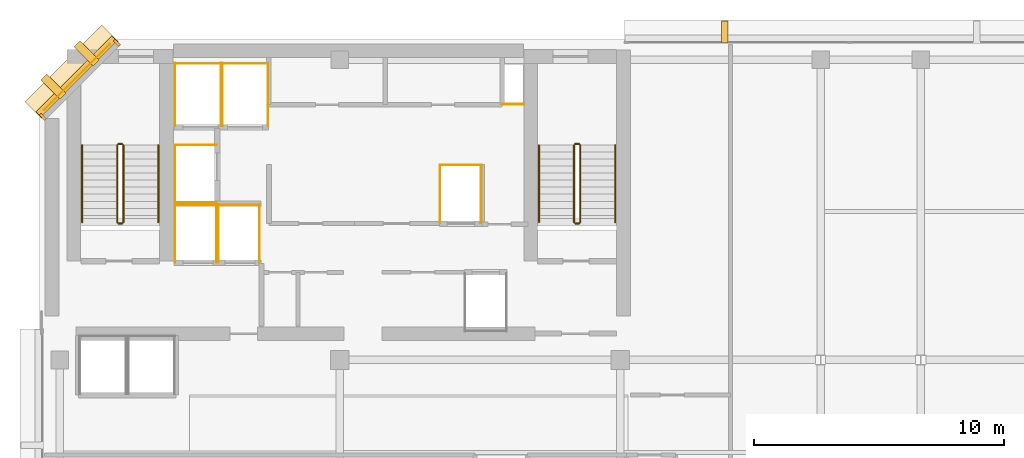
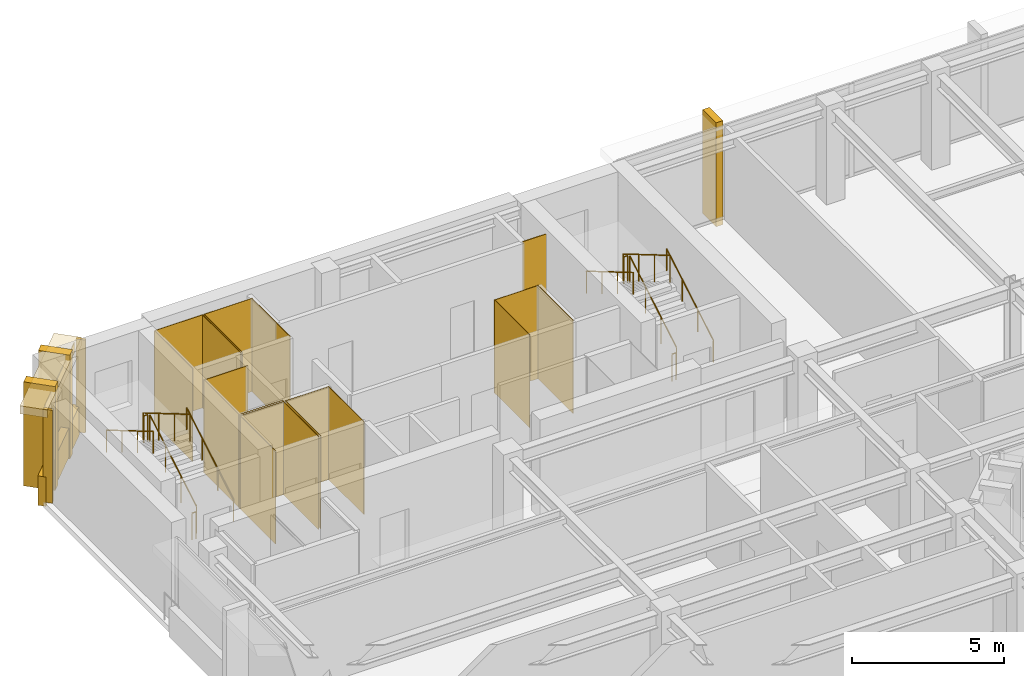
# One storey, part 10 of 11: 27 coverings, 12 railings.
"""IFC4 building model written with IfcOpenShell, lengths in metres."""

from ifc_helpers import new_model, si_unit, direction, frame, origin, origin_2d, place, context, subcontext, project, spatial, polyline, rectangle, circle, outline, extrude, material, layer, layer_set, type_object, element, save


model = new_model("IFC4")

# Units and contexts
model_context = context("Model", 3, precision=1e-05, world=origin(), true_north=direction((0.0, 1.0)))
body_context = subcontext(model_context, "Body", "Model", "MODEL_VIEW")
ifc_project = project(units=[si_unit("LENGTHUNIT", "METRE"), si_unit("AREAUNIT", "SQUARE_METRE"), si_unit("VOLUMEUNIT", "CUBIC_METRE"), si_unit("PLANEANGLEUNIT", "RADIAN"), si_unit("MASSUNIT", "GRAM", prefix="KILO")], contexts=[model_context])

# Site, building, storey
site_placement = place(None, origin())
site = spatial("IfcSite", under=ifc_project, at=site_placement, CompositionType="ELEMENT")
building_placement = place(site_placement, origin())
building = spatial("IfcBuilding", under=site, at=building_placement, Name="Kefirva Bronze Tower", CompositionType="ELEMENT")
storey_placement = place(building_placement, frame((0.0, 0.0, 323.72998046875)))
storey = spatial("IfcBuildingStorey", under=building, at=storey_placement, Name="L79", CompositionType="ELEMENT", Elevation=323.72998046875)

# Coverings
ifc_material_1 = material(Name="Bronze anodised aluminium", Category="aluminium")
ifc_layer_1 = layer(ifc_material_1, 0.02001953125, Name="Bronze anodised aluminium")
ifc_layer_set_1 = layer_set([ifc_layer_1], Name="Bronze anodised aluminium")
covering_type_1 = type_object("IfcCoveringType", Name="Anodised Bronze Spandrel Cladding 20mm", PredefinedType="CLADDING", material=ifc_layer_set_1)
covering_1_placement = place(storey_placement, frame((1.492919921875, 44.507080078125, 3.320068359375), z_axis=(0.0, 0.0, 1.0), x_axis=(-0.707106781187, -0.707106781187, 0.0)))
element("IfcCovering", 1, at=covering_1_placement, inside=storey, type_object=covering_type_1, Name="L79 Bronze Spandrel Cladding 6", PredefinedType="CLADDING", context=body_context, shape_type="SweptSolid", body=[
    extrude(rectangle(XDim=3.719482421875, YDim=0.02001953125, at=origin_2d()), origin(), (0.0, 0.0, 1.0), 0.39990234375),
])
for number, where, z_axis, x_axis, name in (
    (2, (3.08837890625, 45.862060546875, 0.0), (0.0, 0.0, 1.0), (-0.707106781187, -0.707106781187, 0.0), "L79 Facade Joint Closure Panel 6S"),
    (3, (0.137939453125, 42.91162109375, 0.0), (0.0, 0.0, 1.0), (-0.707106781187, -0.707106781187, 0.0), "L79 Facade Joint Closure Panel 6E"),
):
    element("IfcCovering", number, at=place(storey_placement, frame(where, z_axis=z_axis, x_axis=x_axis)), inside=storey, type_object=covering_type_1, Name=name, PredefinedType="CLADDING", context=body_context, shape_type="SweptSolid", body=[
        extrude(rectangle(XDim=0.10009765625, YDim=0.320068359375, at=origin_2d()), origin(), (0.0, 0.0, 1.0), 3.739990234375),
    ])
covering_2_placement = place(storey_placement, frame((1.4716796875, 44.5283203125, -0.16015625), z_axis=(0.0, 0.0, 1.0), x_axis=(-0.707106781187, -0.707106781187, 0.0)))
element("IfcCovering", 4, at=covering_2_placement, inside=storey, type_object=covering_type_1, Name="L79 Streamline Horizontal Spandrel Band 9", PredefinedType="CLADDING", context=body_context, shape_type="SweptSolid", body=[
    extrude(rectangle(XDim=4.28271484375, YDim=0.280029296875, at=origin_2d()), origin(), (0.0, 0.0, 1.0), 1.179931640625),
])
covering_3_placement = place(storey_placement, origin())
element("IfcCovering", 5, at=covering_3_placement, inside=storey, type_object=covering_type_1, Name="L79 Lift FF1 Hoistway Liner N", PredefinedType="CLADDING", context=body_context, shape_type="SweptSolid", body=[
    extrude(outline(polyline([(5.39990234375, 39.389892578125), (7.080078125, 39.389892578125), (7.080078125, 39.409912109375), (5.39990234375, 39.409912109375), (5.39990234375, 39.389892578125)])), origin(), (0.0, 0.0, 1.0), 3.739990234375),
])
covering_4_placement = place(storey_placement, origin())
element("IfcCovering", 6, at=covering_4_placement, inside=storey, type_object=covering_type_1, Name="L79 Lift FF1 Hoistway Liner W", PredefinedType="CLADDING", context=body_context, shape_type="SweptSolid", body=[
    extrude(outline(polyline([(5.409912109375, 37.080078125), (5.429931640625, 37.080078125), (5.429931640625, 39.419921875), (5.409912109375, 39.419921875), (5.409912109375, 37.080078125)])), origin(), (0.0, 0.0, 1.0), 3.739990234375),
])
covering_5_placement = place(storey_placement, origin())
element("IfcCovering", 7, at=covering_5_placement, inside=storey, type_object=covering_type_1, Name="L79 Lift FF1 Hoistway Liner E", PredefinedType="CLADDING", context=body_context, shape_type="SweptSolid", body=[
    extrude(outline(polyline([(7.050048828125, 37.080078125), (7.070068359375, 37.080078125), (7.070068359375, 39.419921875), (7.050048828125, 39.419921875), (7.050048828125, 37.080078125)])), origin(), (0.0, 0.0, 1.0), 3.739990234375),
])
covering_6_placement = place(storey_placement, origin())
element("IfcCovering", 8, at=covering_6_placement, inside=storey, type_object=covering_type_1, Name="L79 Lift FF2 Hoistway Liner N", PredefinedType="CLADDING", context=body_context, shape_type="SweptSolid", body=[
    extrude(outline(polyline([(7.1201171875, 39.389892578125), (8.800048828125, 39.389892578125), (8.800048828125, 39.409912109375), (7.1201171875, 39.409912109375), (7.1201171875, 39.389892578125)])), origin(), (0.0, 0.0, 1.0), 3.739990234375),
])
covering_7_placement = place(storey_placement, origin())
element("IfcCovering", 9, at=covering_7_placement, inside=storey, type_object=covering_type_1, Name="L79 Lift FF2 Hoistway Liner W", PredefinedType="CLADDING", context=body_context, shape_type="SweptSolid", body=[
    extrude(outline(polyline([(7.1298828125, 37.080078125), (7.14990234375, 37.080078125), (7.14990234375, 39.419921875), (7.1298828125, 39.419921875), (7.1298828125, 37.080078125)])), origin(), (0.0, 0.0, 1.0), 3.739990234375),
])
covering_8_placement = place(storey_placement, origin())
element("IfcCovering", 10, at=covering_8_placement, inside=storey, type_object=covering_type_1, Name="L79 Lift FF2 Hoistway Liner E", PredefinedType="CLADDING", context=body_context, shape_type="SweptSolid", body=[
    extrude(outline(polyline([(8.77001953125, 37.080078125), (8.7900390625, 37.080078125), (8.7900390625, 39.419921875), (8.77001953125, 39.419921875), (8.77001953125, 37.080078125)])), origin(), (0.0, 0.0, 1.0), 3.739990234375),
])
covering_9_placement = place(storey_placement, origin())
element("IfcCovering", 11, at=covering_9_placement, inside=storey, type_object=covering_type_1, Name="L79 Lift SV1 Hoistway Liner N", PredefinedType="CLADDING", context=body_context, shape_type="SweptSolid", body=[
    extrude(outline(polyline([(5.39990234375, 45.0400390625), (7.260009765625, 45.0400390625), (7.260009765625, 45.06005859375), (5.39990234375, 45.06005859375), (5.39990234375, 45.0400390625)])), origin(), (0.0, 0.0, 1.0), 3.739990234375),
])
covering_10_placement = place(storey_placement, origin())
element("IfcCovering", 12, at=covering_10_placement, inside=storey, type_object=covering_type_1, Name="L79 Lift SV1 Hoistway Liner W", PredefinedType="CLADDING", context=body_context, shape_type="SweptSolid", body=[
    extrude(outline(polyline([(5.409912109375, 42.530029296875), (5.429931640625, 42.530029296875), (5.429931640625, 45.070068359375), (5.409912109375, 45.070068359375), (5.409912109375, 42.530029296875)])), origin(), (0.0, 0.0, 1.0), 3.739990234375),
])
covering_11_placement = place(storey_placement, origin())
element("IfcCovering", 13, at=covering_11_placement, inside=storey, type_object=covering_type_1, Name="L79 Lift SV1 Hoistway Liner E", PredefinedType="CLADDING", context=body_context, shape_type="SweptSolid", body=[
    extrude(outline(polyline([(7.22998046875, 42.530029296875), (7.25, 42.530029296875), (7.25, 45.070068359375), (7.22998046875, 45.070068359375), (7.22998046875, 42.530029296875)])), origin(), (0.0, 0.0, 1.0), 3.739990234375),
])
covering_12_placement = place(storey_placement, origin())
element("IfcCovering", 14, at=covering_12_placement, inside=storey, type_object=covering_type_1, Name="L79 Lift SV2 Hoistway Liner N", PredefinedType="CLADDING", context=body_context, shape_type="SweptSolid", body=[
    extrude(outline(polyline([(7.280029296875, 45.0400390625), (9.139892578125, 45.0400390625), (9.139892578125, 45.06005859375), (7.280029296875, 45.06005859375), (7.280029296875, 45.0400390625)])), origin(), (0.0, 0.0, 1.0), 3.739990234375),
])
covering_13_placement = place(storey_placement, origin())
element("IfcCovering", 15, at=covering_13_placement, inside=storey, type_object=covering_type_1, Name="L79 Lift SV2 Hoistway Liner W", PredefinedType="CLADDING", context=body_context, shape_type="SweptSolid", body=[
    extrude(outline(polyline([(7.2900390625, 42.530029296875), (7.31005859375, 42.530029296875), (7.31005859375, 45.070068359375), (7.2900390625, 45.070068359375), (7.2900390625, 42.530029296875)])), origin(), (0.0, 0.0, 1.0), 3.739990234375),
])
covering_14_placement = place(storey_placement, origin())
element("IfcCovering", 16, at=covering_14_placement, inside=storey, type_object=covering_type_1, Name="L79 Lift SV2 Hoistway Liner E", PredefinedType="CLADDING", context=body_context, shape_type="SweptSolid", body=[
    extrude(outline(polyline([(9.110107421875, 42.530029296875), (9.1298828125, 42.530029296875), (9.1298828125, 45.070068359375), (9.110107421875, 45.070068359375), (9.110107421875, 42.530029296875)])), origin(), (0.0, 0.0, 1.0), 3.739990234375),
])
covering_15_placement = place(storey_placement, origin())
element("IfcCovering", 17, at=covering_15_placement, inside=storey, type_object=covering_type_1, Name="L79 Lift HP2 Hoistway Liner N", PredefinedType="CLADDING", context=body_context, shape_type="SweptSolid", body=[
    extrude(outline(polyline([(15.97998046875, 40.969970703125), (17.669921875, 40.969970703125), (17.669921875, 40.989990234375), (15.97998046875, 40.989990234375), (15.97998046875, 40.969970703125)])), origin(), (0.0, 0.0, 1.0), 3.739990234375),
])
covering_16_placement = place(storey_placement, origin())
element("IfcCovering", 18, at=covering_16_placement, inside=storey, type_object=covering_type_1, Name="L79 Lift HP2 Hoistway Liner W", PredefinedType="CLADDING", context=body_context, shape_type="SweptSolid", body=[
    extrude(outline(polyline([(15.989990234375, 38.659912109375), (16.010009765625, 38.659912109375), (16.010009765625, 41.0), (15.989990234375, 41.0), (15.989990234375, 38.659912109375)])), origin(), (0.0, 0.0, 1.0), 3.739990234375),
])
covering_17_placement = place(storey_placement, origin())
element("IfcCovering", 19, at=covering_17_placement, inside=storey, type_object=covering_type_1, Name="L79 Lift HP2 Hoistway Liner E", PredefinedType="CLADDING", context=body_context, shape_type="SweptSolid", body=[
    extrude(outline(polyline([(17.639892578125, 38.659912109375), (17.659912109375, 38.659912109375), (17.659912109375, 41.0), (17.639892578125, 41.0), (17.639892578125, 38.659912109375)])), origin(), (0.0, 0.0, 1.0), 3.739990234375),
])
covering_18_placement = place(storey_placement, origin())
element("IfcCovering", 20, at=covering_18_placement, inside=storey, type_object=covering_type_1, Name="L79 Lift HP3 Hoistway Liner N", PredefinedType="CLADDING", context=body_context, shape_type="SweptSolid", body=[
    extrude(outline(polyline([(5.39990234375, 41.77001953125), (7.080078125, 41.77001953125), (7.080078125, 41.7900390625), (5.39990234375, 41.7900390625), (5.39990234375, 41.77001953125)])), origin(), (0.0, 0.0, 1.0), 3.739990234375),
])
covering_19_placement = place(storey_placement, origin())
element("IfcCovering", 21, at=covering_19_placement, inside=storey, type_object=covering_type_1, Name="L79 Lift HP3 Hoistway Liner S", PredefinedType="CLADDING", context=body_context, shape_type="SweptSolid", body=[
    extrude(outline(polyline([(5.39990234375, 39.469970703125), (7.080078125, 39.469970703125), (7.080078125, 39.489990234375), (5.39990234375, 39.489990234375), (5.39990234375, 39.469970703125)])), origin(), (0.0, 0.0, 1.0), 3.739990234375),
])
covering_20_placement = place(storey_placement, origin())
element("IfcCovering", 22, at=covering_20_placement, inside=storey, type_object=covering_type_1, Name="L79 Lift HP3 Hoistway Liner W", PredefinedType="CLADDING", context=body_context, shape_type="SweptSolid", body=[
    extrude(outline(polyline([(5.409912109375, 39.4599609375), (5.429931640625, 39.4599609375), (5.429931640625, 41.800048828125), (5.409912109375, 41.800048828125), (5.409912109375, 39.4599609375)])), origin(), (0.0, 0.0, 1.0), 3.739990234375),
])
covering_21_placement = place(storey_placement, origin())
element("IfcCovering", 23, at=covering_21_placement, inside=storey, type_object=covering_type_1, Name="L79 Core MEP Riser Shaft Liner South", PredefinedType="CLADDING", context=body_context, shape_type="SweptSolid", body=[
    extrude(outline(polyline([(18.47998046875, 43.39990234375), (19.360107421875, 43.39990234375), (19.360107421875, 43.429931640625), (18.47998046875, 43.429931640625), (18.47998046875, 43.39990234375)])), origin(), (0.0, 0.0, 1.0), 3.739990234375),
])

# Railings
ifc_material_2 = material(Name="Stainless steel 316", Category="steel")
railing_type_1 = type_object("IfcRailingType", Name="Interior Stair Guardrail 1100mm", PredefinedType="GUARDRAIL", material=ifc_material_2)
railing_1_placement = place(storey_placement, frame((3.35009765625, 38.699951171875, 0.1650390625)))
element("IfcRailing", 24, at=railing_1_placement, inside=storey, type_object=railing_type_1, Name="L79 ST-1 stair guard 1", PredefinedType="GUARDRAIL", context=body_context, shape_type="SweptSolid", body=[
    extrude(circle(Radius=0.02392578125, at=origin_2d()), frame((0.0, 0.0, 1.076171875), z_axis=(0.0, 0.861551262678, 0.507670583921), x_axis=(-1.0, 0.0, 0.0)), (0.0, 0.0, 1.0), 3.574951171875),
    extrude(circle(Radius=0.02099609375, at=origin_2d()), origin(), (0.0, 0.0, 1.0), 1.052001953125),
    extrude(circle(Radius=0.02099609375, at=origin_2d()), frame((0.0, 1.026611328125, 0.60498046875)), (0.0, 0.0, 1.0), 1.052001953125),
    extrude(circle(Radius=0.02099609375, at=origin_2d()), frame((0.0, 2.053466796875, 1.2099609375)), (0.0, 0.0, 1.0), 1.052001953125),
    extrude(circle(Radius=0.02099609375, at=origin_2d()), frame((0.0, 3.080078125, 1.81494140625)), (0.0, 0.0, 1.0), 1.052001953125),
])
railing_2_placement = place(storey_placement, frame((3.300048828125, 41.830078125, 1.97998046875)))
element("IfcRailing", 25, at=railing_2_placement, inside=storey, type_object=railing_type_1, Name="L79 ST-1 stair guard 2", PredefinedType="GUARDRAIL", context=body_context, shape_type="SweptSolid", body=[
    extrude(circle(Radius=0.02392578125, at=origin_2d()), frame((0.0, 0.0, 1.076171875), z_axis=(-1.0, 0.0, 0.0), x_axis=(0.0, -1.0, 0.0)), (0.0, 0.0, 1.0), 0.150146484375),
    extrude(circle(Radius=0.02099609375, at=origin_2d()), origin(), (0.0, 0.0, 1.0), 1.052001953125),
    extrude(circle(Radius=0.02099609375, at=origin_2d()), frame((-0.150146484375, 0.0, 0.0)), (0.0, 0.0, 1.0), 1.052001953125),
])
railing_3_placement = place(storey_placement, frame((3.10009765625, 41.780029296875, 2.14501953125)))
element("IfcRailing", 26, at=railing_3_placement, inside=storey, type_object=railing_type_1, Name="L79 ST-1 stair guard 3", PredefinedType="GUARDRAIL", context=body_context, shape_type="SweptSolid", body=[
    extrude(circle(Radius=0.02392578125, at=origin_2d()), frame((0.0, 0.0, 1.076171875), z_axis=(0.0, -0.861551262678, 0.507670583921), x_axis=(1.0, 0.0, 0.0)), (0.0, 0.0, 1.0), 3.574951171875),
    extrude(circle(Radius=0.02099609375, at=origin_2d()), origin(), (0.0, 0.0, 1.0), 1.052001953125),
    extrude(circle(Radius=0.02099609375, at=origin_2d()), frame((0.0, -1.026611328125, 0.60498046875)), (0.0, 0.0, 1.0), 1.052001953125),
    extrude(circle(Radius=0.02099609375, at=origin_2d()), frame((0.0, -2.053466796875, 1.2099609375)), (0.0, 0.0, 1.0), 1.052001953125),
    extrude(circle(Radius=0.02099609375, at=origin_2d()), frame((0.0, -3.080078125, 1.81494140625)), (0.0, 0.0, 1.0), 1.052001953125),
])
railing_4_placement = place(storey_placement, frame((3.300048828125, 38.64990234375, 0.0)))
element("IfcRailing", 27, at=railing_4_placement, inside=storey, type_object=railing_type_1, Name="L79 ST-1 stair guard 4", PredefinedType="GUARDRAIL", context=body_context, shape_type="SweptSolid", body=[
    extrude(circle(Radius=0.02392578125, at=origin_2d()), frame((0.0, 0.0, 1.076171875), z_axis=(-1.0, 0.0, 0.0), x_axis=(0.0, -1.0, 0.0)), (0.0, 0.0, 1.0), 0.150146484375),
    extrude(circle(Radius=0.02099609375, at=origin_2d()), origin(), (0.0, 0.0, 1.0), 1.052001953125),
    extrude(circle(Radius=0.02099609375, at=origin_2d()), frame((-0.150146484375, 0.0, 0.0)), (0.0, 0.0, 1.0), 1.052001953125),
])
railing_5_placement = place(storey_placement, frame((21.60009765625, 38.699951171875, 0.1650390625)))
element("IfcRailing", 28, at=railing_5_placement, inside=storey, type_object=railing_type_1, Name="L79 ST-2 stair guard 1", PredefinedType="GUARDRAIL", context=body_context, shape_type="SweptSolid", body=[
    extrude(circle(Radius=0.02392578125, at=origin_2d()), frame((0.0, 0.0, 1.076171875), z_axis=(0.0, 0.861551262678, 0.507670583921), x_axis=(-1.0, 0.0, 0.0)), (0.0, 0.0, 1.0), 3.574951171875),
    extrude(circle(Radius=0.02099609375, at=origin_2d()), origin(), (0.0, 0.0, 1.0), 1.052001953125),
    extrude(circle(Radius=0.02099609375, at=origin_2d()), frame((0.0, 1.026611328125, 0.60498046875)), (0.0, 0.0, 1.0), 1.052001953125),
    extrude(circle(Radius=0.02099609375, at=origin_2d()), frame((0.0, 2.053466796875, 1.2099609375)), (0.0, 0.0, 1.0), 1.052001953125),
    extrude(circle(Radius=0.02099609375, at=origin_2d()), frame((0.0, 3.080078125, 1.81494140625)), (0.0, 0.0, 1.0), 1.052001953125),
])
railing_6_placement = place(storey_placement, frame((21.550048828125, 41.830078125, 1.97998046875)))
element("IfcRailing", 29, at=railing_6_placement, inside=storey, type_object=railing_type_1, Name="L79 ST-2 stair guard 2", PredefinedType="GUARDRAIL", context=body_context, shape_type="SweptSolid", body=[
    extrude(circle(Radius=0.02392578125, at=origin_2d()), frame((0.0, 0.0, 1.076171875), z_axis=(-1.0, 0.0, 0.0), x_axis=(0.0, -1.0, 0.0)), (0.0, 0.0, 1.0), 0.150146484375),
    extrude(circle(Radius=0.02099609375, at=origin_2d()), origin(), (0.0, 0.0, 1.0), 1.052001953125),
    extrude(circle(Radius=0.02099609375, at=origin_2d()), frame((-0.150146484375, 0.0, 0.0)), (0.0, 0.0, 1.0), 1.052001953125),
])
railing_7_placement = place(storey_placement, frame((21.35009765625, 41.780029296875, 2.14501953125)))
element("IfcRailing", 30, at=railing_7_placement, inside=storey, type_object=railing_type_1, Name="L79 ST-2 stair guard 3", PredefinedType="GUARDRAIL", context=body_context, shape_type="SweptSolid", body=[
    extrude(circle(Radius=0.02392578125, at=origin_2d()), frame((0.0, 0.0, 1.076171875), z_axis=(0.0, -0.861551262678, 0.507670583921), x_axis=(1.0, 0.0, 0.0)), (0.0, 0.0, 1.0), 3.574951171875),
    extrude(circle(Radius=0.02099609375, at=origin_2d()), origin(), (0.0, 0.0, 1.0), 1.052001953125),
    extrude(circle(Radius=0.02099609375, at=origin_2d()), frame((0.0, -1.026611328125, 0.60498046875)), (0.0, 0.0, 1.0), 1.052001953125),
    extrude(circle(Radius=0.02099609375, at=origin_2d()), frame((0.0, -2.053466796875, 1.2099609375)), (0.0, 0.0, 1.0), 1.052001953125),
    extrude(circle(Radius=0.02099609375, at=origin_2d()), frame((0.0, -3.080078125, 1.81494140625)), (0.0, 0.0, 1.0), 1.052001953125),
])
railing_8_placement = place(storey_placement, frame((21.550048828125, 38.64990234375, 0.0)))
element("IfcRailing", 31, at=railing_8_placement, inside=storey, type_object=railing_type_1, Name="L79 ST-2 stair guard 4", PredefinedType="GUARDRAIL", context=body_context, shape_type="SweptSolid", body=[
    extrude(circle(Radius=0.02392578125, at=origin_2d()), frame((0.0, 0.0, 1.076171875), z_axis=(-1.0, 0.0, 0.0), x_axis=(0.0, -1.0, 0.0)), (0.0, 0.0, 1.0), 0.150146484375),
    extrude(circle(Radius=0.02099609375, at=origin_2d()), origin(), (0.0, 0.0, 1.0), 1.052001953125),
    extrude(circle(Radius=0.02099609375, at=origin_2d()), frame((-0.150146484375, 0.0, 0.0)), (0.0, 0.0, 1.0), 1.052001953125),
])
railing_type_2 = type_object("IfcRailingType", Name="Stair Pitch Handrail 900mm", PredefinedType="HANDRAIL", material=ifc_material_2)
railing_9_placement = place(storey_placement, frame((4.75, 38.699951171875, 0.1650390625)))
element("IfcRailing", 32, at=railing_9_placement, inside=storey, type_object=railing_type_2, Name="L79 ST-1 stair handrail 1", PredefinedType="HANDRAIL", context=body_context, shape_type="SweptSolid", body=[
    extrude(circle(Radius=0.02392578125, at=origin_2d()), frame((0.0, 0.0, 0.8759765625), z_axis=(0.0, 0.861551262678, 0.507670583921), x_axis=(-1.0, 0.0, 0.0)), (0.0, 0.0, 1.0), 3.574951171875),
    extrude(circle(Radius=0.02099609375, at=origin_2d()), origin(), (0.0, 0.0, 1.0), 0.851806640625),
    extrude(circle(Radius=0.02099609375, at=origin_2d()), frame((0.0, 1.026611328125, 0.60498046875)), (0.0, 0.0, 1.0), 0.851806640625),
    extrude(circle(Radius=0.02099609375, at=origin_2d()), frame((0.0, 2.053466796875, 1.2099609375)), (0.0, 0.0, 1.0), 0.851806640625),
    extrude(circle(Radius=0.02099609375, at=origin_2d()), frame((0.0, 3.080078125, 1.81494140625)), (0.0, 0.0, 1.0), 0.851806640625),
])
railing_10_placement = place(storey_placement, frame((1.699951171875, 41.780029296875, 2.14501953125)))
element("IfcRailing", 33, at=railing_10_placement, inside=storey, type_object=railing_type_2, Name="L79 ST-1 stair handrail 2", PredefinedType="HANDRAIL", context=body_context, shape_type="SweptSolid", body=[
    extrude(circle(Radius=0.02392578125, at=origin_2d()), frame((0.0, 0.0, 0.8759765625), z_axis=(0.0, -0.861551262678, 0.507670583921), x_axis=(1.0, 0.0, 0.0)), (0.0, 0.0, 1.0), 3.574951171875),
    extrude(circle(Radius=0.02099609375, at=origin_2d()), origin(), (0.0, 0.0, 1.0), 0.851806640625),
    extrude(circle(Radius=0.02099609375, at=origin_2d()), frame((0.0, -1.026611328125, 0.60498046875)), (0.0, 0.0, 1.0), 0.851806640625),
    extrude(circle(Radius=0.02099609375, at=origin_2d()), frame((0.0, -2.053466796875, 1.2099609375)), (0.0, 0.0, 1.0), 0.851806640625),
    extrude(circle(Radius=0.02099609375, at=origin_2d()), frame((0.0, -3.080078125, 1.81494140625)), (0.0, 0.0, 1.0), 0.851806640625),
])
railing_11_placement = place(storey_placement, frame((23.0, 38.699951171875, 0.1650390625)))
element("IfcRailing", 34, at=railing_11_placement, inside=storey, type_object=railing_type_2, Name="L79 ST-2 stair handrail 1", PredefinedType="HANDRAIL", context=body_context, shape_type="SweptSolid", body=[
    extrude(circle(Radius=0.02392578125, at=origin_2d()), frame((0.0, 0.0, 0.8759765625), z_axis=(0.0, 0.861551262678, 0.507670583921), x_axis=(-1.0, 0.0, 0.0)), (0.0, 0.0, 1.0), 3.574951171875),
    extrude(circle(Radius=0.02099609375, at=origin_2d()), origin(), (0.0, 0.0, 1.0), 0.851806640625),
    extrude(circle(Radius=0.02099609375, at=origin_2d()), frame((0.0, 1.026611328125, 0.60498046875)), (0.0, 0.0, 1.0), 0.851806640625),
    extrude(circle(Radius=0.02099609375, at=origin_2d()), frame((0.0, 2.053466796875, 1.2099609375)), (0.0, 0.0, 1.0), 0.851806640625),
    extrude(circle(Radius=0.02099609375, at=origin_2d()), frame((0.0, 3.080078125, 1.81494140625)), (0.0, 0.0, 1.0), 0.851806640625),
])
railing_12_placement = place(storey_placement, frame((19.949951171875, 41.780029296875, 2.14501953125)))
element("IfcRailing", 35, at=railing_12_placement, inside=storey, type_object=railing_type_2, Name="L79 ST-2 stair handrail 2", PredefinedType="HANDRAIL", context=body_context, shape_type="SweptSolid", body=[
    extrude(circle(Radius=0.02392578125, at=origin_2d()), frame((0.0, 0.0, 0.8759765625), z_axis=(0.0, -0.861551262678, 0.507670583921), x_axis=(1.0, 0.0, 0.0)), (0.0, 0.0, 1.0), 3.574951171875),
    extrude(circle(Radius=0.02099609375, at=origin_2d()), origin(), (0.0, 0.0, 1.0), 0.851806640625),
    extrude(circle(Radius=0.02099609375, at=origin_2d()), frame((0.0, -1.026611328125, 0.60498046875)), (0.0, 0.0, 1.0), 0.851806640625),
    extrude(circle(Radius=0.02099609375, at=origin_2d()), frame((0.0, -2.053466796875, 1.2099609375)), (0.0, 0.0, 1.0), 0.851806640625),
    extrude(circle(Radius=0.02099609375, at=origin_2d()), frame((0.0, -3.080078125, 1.81494140625)), (0.0, 0.0, 1.0), 0.851806640625),
])

# Coverings
ifc_layer_2 = layer(ifc_material_1, 0.179931640625, Name="Bronze anodised aluminium")
ifc_layer_set_2 = layer_set([ifc_layer_2], Name="Bronze anodised aluminium")
covering_type_2 = type_object("IfcCoveringType", Name="Streamline Bronze Sunshade Eyebrow Cladding 180mm", PredefinedType="CLADDING", material=ifc_layer_set_2)
covering_22_placement = place(storey_placement, frame((1.28076171875, 44.71923828125, 3.419921875), z_axis=(0.0, 0.0, 1.0), x_axis=(-0.707106781187, -0.707106781187, 0.0)))
element("IfcCovering", 36, at=covering_22_placement, inside=storey, type_object=covering_type_2, Name="L79 Streamline Bronze Sunshade Eyebrow 9", PredefinedType="CLADDING", context=body_context, shape_type="SweptSolid", body=[
    extrude(rectangle(XDim=4.322509765625, YDim=0.93994140625, at=origin_2d()), origin(), (0.0, 0.0, 1.0), 0.320068359375),
])
ifc_layer_3 = layer(ifc_material_1, 0.260009765625, Name="Bronze anodised aluminium")
ifc_layer_set_3 = layer_set([ifc_layer_3], Name="Bronze anodised aluminium")
covering_type_3 = type_object("IfcCoveringType", Name="Unbroken Bronze Buttress Fin Cladding 260mm", PredefinedType="CLADDING", material=ifc_layer_set_3)
covering_23_placement = place(storey_placement, frame((27.364013671875, 46.300048828125, -0.2197265625), z_axis=(0.0, 0.0, 1.0), x_axis=(-1.0, 0.0, 0.0)))
element("IfcCovering", 37, at=covering_23_placement, inside=storey, type_object=covering_type_3, Name="L79 Unbroken Vertical Bronze Rib Fin 18", PredefinedType="CLADDING", context=body_context, shape_type="SweptSolid", body=[
    extrude(rectangle(XDim=0.260009765625, YDim=0.8798828125, at=origin_2d()), origin(), (0.0, 0.0, 1.0), 4.179931640625),
])
for number, where, z_axis, x_axis, name in (
    (38, (1.877197265625, 45.44287109375, -0.2197265625), (0.0, 0.0, 1.0), (-0.707106781187, -0.707106781187, 0.0), "L79 Chamfered Corner Buttress Fin Cladding 19"),
    (39, (0.55712890625, 44.122802734375, -0.2197265625), (0.0, 0.0, 1.0), (-0.707106781187, -0.707106781187, 0.0), "L79 Chamfered Corner Buttress Fin Cladding 20"),
):
    element("IfcCovering", number, at=place(storey_placement, frame(where, z_axis=z_axis, x_axis=x_axis)), inside=storey, type_object=covering_type_3, Name=name, PredefinedType="CLADDING", context=body_context, shape_type="SweptSolid", body=[
        extrude(rectangle(XDim=0.340087890625, YDim=1.080078125, at=origin_2d()), origin(), (0.0, 0.0, 1.0), 4.179931640625),
    ])

save(model, "model.ifc")
